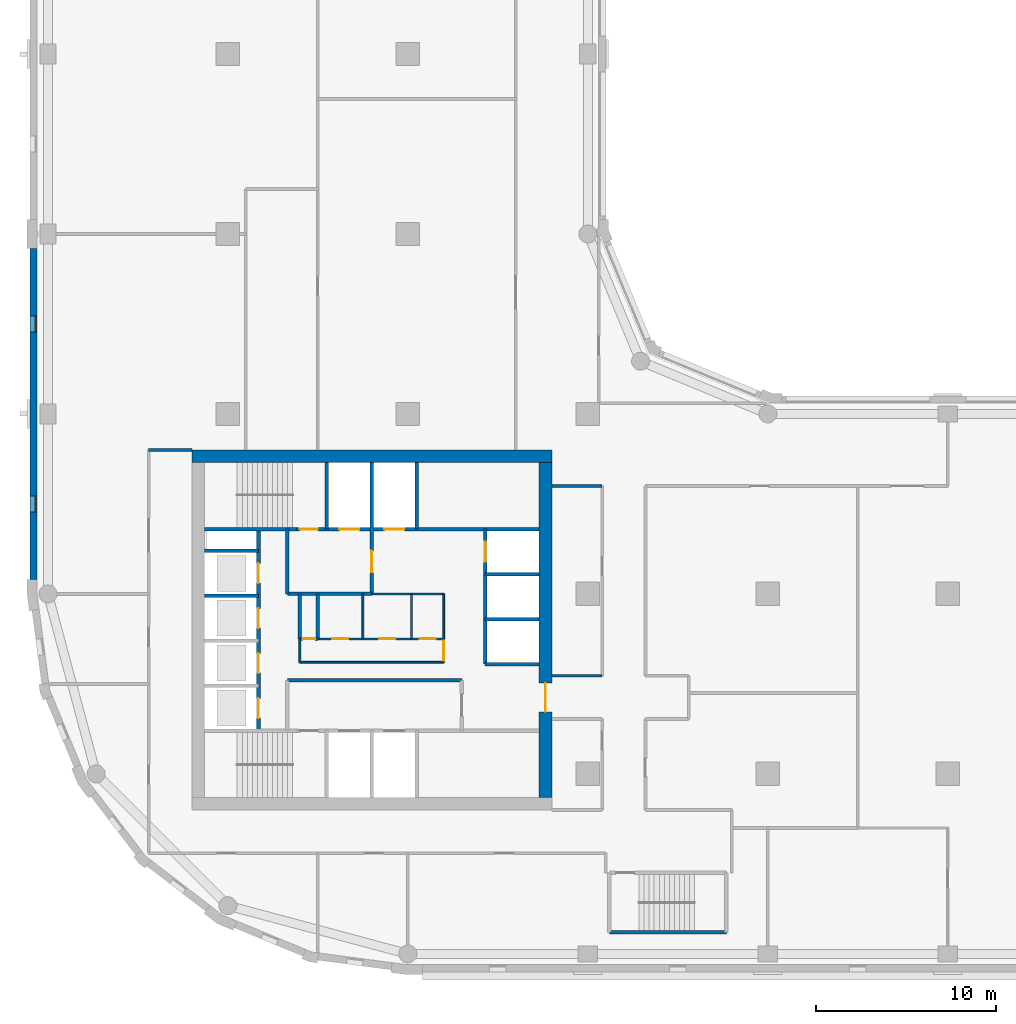
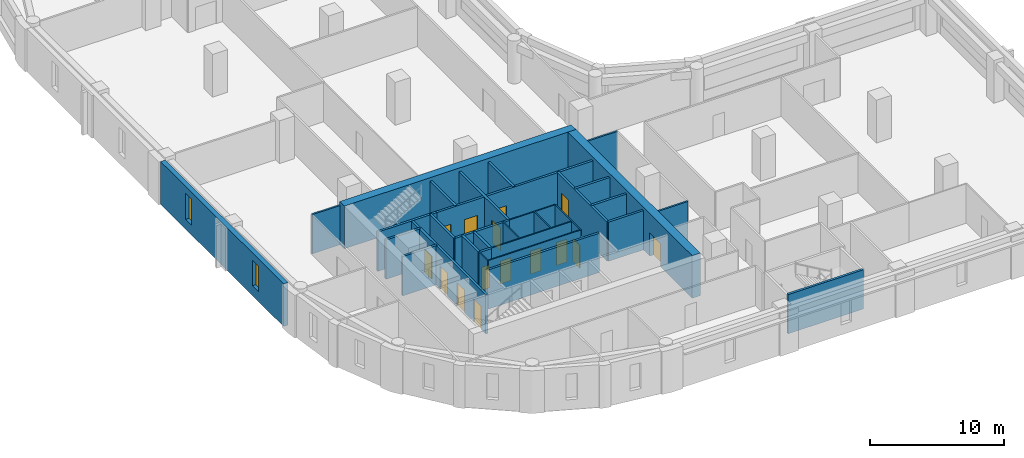
# One storey, part 3 of 9: 32 walls, 15 doors, 2 windows, 17 openings.
"""IFC4 building model written with IfcOpenShell, lengths in metres."""

from ifc_helpers import new_model, si_unit, direction, frame, frame_2d, origin, place, context, subcontext, project, spatial, rectangle, extrude, material, layer, layer_set, type_object, element, fill, save


model = new_model("IFC4")

# Units and contexts
model_context = context("Model", 3, precision=1e-05, world=origin(), true_north=direction((0.0, 1.0)))
body_context = subcontext(model_context, "Body", "Model", "MODEL_VIEW")
ifc_project = project(units=[si_unit("LENGTHUNIT", "METRE"), si_unit("AREAUNIT", "SQUARE_METRE"), si_unit("VOLUMEUNIT", "CUBIC_METRE"), si_unit("PLANEANGLEUNIT", "RADIAN"), si_unit("MASSUNIT", "GRAM", prefix="KILO")], contexts=[model_context])

# Site, building, storey
site_placement = place(None, origin())
site = spatial("IfcSite", under=ifc_project, at=site_placement, CompositionType="ELEMENT")
building_placement = place(site_placement, origin())
building = spatial("IfcBuilding", under=site, at=building_placement, Name="Qaws Garden Tower", CompositionType="ELEMENT")
storey_placement = place(building_placement, frame((0.0, 0.0, 131.699951171875)))
storey = spatial("IfcBuildingStorey", under=building, at=storey_placement, Name="L31", CompositionType="ELEMENT", Elevation=131.699951171875)

# Wall, openings, windows
ifc_material_1 = material(Name="Clay facing brick masonry", Category="masonry")
ifc_layer_1 = layer(ifc_material_1, 0.39990234375)
ifc_layer_set_1 = layer_set([ifc_layer_1], Name="Clay facing brick masonry")
wall_type_1 = type_object("IfcWallType", Name="Brick infill wall 400", PredefinedType="SOLIDWALL", material=ifc_layer_set_1)
wall_1_placement = place(storey_placement, frame((-0.800048828125, 39.199951171875, 0.0), z_axis=(0.0, 0.0, 1.0), x_axis=(0.0, -1.0, 0.0)))
wall_1 = element("IfcWall", 1, at=wall_1_placement, inside=storey, type_object=wall_type_1, Name="E-L31-infill-23", PredefinedType="SOLIDWALL", context=body_context, shape_type="SweptSolid", body=[
    extrude(rectangle(XDim=18.39990234375, YDim=0.39990234375, at=frame_2d((9.199951171875, 0.0))), origin(), (0.0, 0.0, 1.0), 3.900146484375),
])
opening_1_placement = place(wall_1_placement, frame((3.75, 0.0, 0.89990234375)))
opening_1 = element("IfcOpeningElement", 2, at=opening_1_placement, cuts=wall_1, Name="Opening W09", PredefinedType="OPENING", context=body_context, shape_type="SweptSolid", body=[
    extrude(rectangle(XDim=0.89990234375, YDim=2.35009765625, at=frame_2d((0.449951171875, 1.175048828125))), frame((0.0, 0.2099609375, 0.0), z_axis=(0.0, -1.0, 0.0), x_axis=(1.0, 0.0, 0.0)), (0.0, 0.0, 1.0), 0.419921875),
])
opening_2_placement = place(wall_1_placement, frame((13.75, 0.0, 0.89990234375)))
opening_2 = element("IfcOpeningElement", 3, at=opening_2_placement, cuts=wall_1, Name="Opening W09", PredefinedType="OPENING", context=body_context, shape_type="SweptSolid", body=[
    extrude(rectangle(XDim=0.89990234375, YDim=2.35009765625, at=frame_2d((0.449951171875, 1.175048828125))), frame((0.0, 0.2099609375, 0.0), z_axis=(0.0, -1.0, 0.0), x_axis=(1.0, 0.0, 0.0)), (0.0, 0.0, 1.0), 0.419921875),
])
ifc_material_2 = material(Name="Aluminium framed window, clear glazing", Category="aluminium")
window_type = type_object("IfcWindowType", Name="Slit window 900 x 2350", PartitioningType="SINGLE_PANEL", PredefinedType="WINDOW", material=ifc_material_2)
window_1_placement = place(opening_1_placement, origin())
window_1 = element("IfcWindow", 4, at=window_1_placement, inside=storey, type_object=window_type, Name="E-L31-window-23-0", OverallHeight=2.35009765625, OverallWidth=0.89990234375, PartitioningType="SINGLE_PANEL", PredefinedType="WINDOW", context=body_context, shape_type="SweptSolid", body=[
    extrude(rectangle(XDim=0.89990234375, YDim=2.35009765625, at=frame_2d((0.449951171875, 1.175048828125))), frame((0.0, 0.159912109375, 0.0), z_axis=(0.0, -1.0, 0.0), x_axis=(1.0, 0.0, 0.0)), (0.0, 0.0, 1.0), 0.06005859375),
])
fill(opening_1, window_1)
window_2_placement = place(opening_2_placement, origin())
window_2 = element("IfcWindow", 5, at=window_2_placement, inside=storey, type_object=window_type, Name="E-L31-window-24-0", OverallHeight=2.35009765625, OverallWidth=0.89990234375, PartitioningType="SINGLE_PANEL", PredefinedType="WINDOW", context=body_context, shape_type="SweptSolid", body=[
    extrude(rectangle(XDim=0.89990234375, YDim=2.35009765625, at=frame_2d((0.449951171875, 1.175048828125))), frame((0.0, 0.159912109375, 0.0), z_axis=(0.0, -1.0, 0.0), x_axis=(1.0, 0.0, 0.0)), (0.0, 0.0, 1.0), 0.06005859375),
])
fill(opening_2, window_2)

# Wall
ifc_material_3 = material(Name="Plasterboard")
ifc_layer_2 = layer(ifc_material_3, 0.10009765625)
ifc_layer_set_2 = layer_set([ifc_layer_2], Name="Plasterboard")
wall_type_2 = type_object("IfcWallType", Name="Core partition 100", PredefinedType="PARTITIONING", material=ifc_layer_set_2)
wall_2_placement = place(storey_placement, frame((14.0, 16.199951171875, 0.0), z_axis=(0.0, 0.0, 1.0), x_axis=(1.0, 0.0, 0.0)))
element("IfcWall", 6, at=wall_2_placement, inside=storey, type_object=wall_type_2, Name="Core partition", PredefinedType="PARTITIONING", context=body_context, shape_type="SweptSolid", body=[
    extrude(rectangle(XDim=8.0, YDim=0.10009765625, at=frame_2d((4.0, 0.0))), origin(), (0.0, 0.0, 1.0), 3.580078125),
])

# Wall, openings, doors
wall_3_placement = place(storey_placement, frame((15.0, 17.5, 0.0), z_axis=(0.0, 0.0, 1.0), x_axis=(1.0, 0.0, 0.0)))
wall_3 = element("IfcWall", 7, at=wall_3_placement, inside=storey, type_object=wall_type_2, Name="Core partition", PredefinedType="PARTITIONING", context=body_context, shape_type="SweptSolid", body=[
    extrude(rectangle(XDim=7.0, YDim=0.10009765625, at=frame_2d((3.5, 0.0))), origin(), (0.0, 0.0, 1.0), 3.580078125),
])
opening_3_placement = place(wall_3_placement, frame((0.800048828125, 0.0, 0.0)))
opening_3 = element("IfcOpeningElement", 8, at=opening_3_placement, cuts=wall_3, Name="Opening WD19", PredefinedType="OPENING", context=body_context, shape_type="SweptSolid", body=[
    extrude(rectangle(XDim=0.89990234375, YDim=2.10009765625, at=frame_2d((0.449951171875, 1.050048828125))), frame((0.0, 0.06005859375, 0.0), z_axis=(0.0, -1.0, 0.0), x_axis=(1.0, 0.0, 0.0)), (0.0, 0.0, 1.0), 0.1201171875),
])
opening_4_placement = place(wall_3_placement, frame((3.39990234375, 0.0, 0.0)))
opening_4 = element("IfcOpeningElement", 9, at=opening_4_placement, cuts=wall_3, Name="Opening WD20", PredefinedType="OPENING", context=body_context, shape_type="SweptSolid", body=[
    extrude(rectangle(XDim=0.89990234375, YDim=2.10009765625, at=frame_2d((0.449951171875, 1.050048828125))), frame((0.0, 0.06005859375, 0.0), z_axis=(0.0, -1.0, 0.0), x_axis=(1.0, 0.0, 0.0)), (0.0, 0.0, 1.0), 0.1201171875),
])
opening_5_placement = place(wall_3_placement, frame((5.64990234375, 0.0, 0.0)))
opening_5 = element("IfcOpeningElement", 10, at=opening_5_placement, cuts=wall_3, Name="Opening WD21", PredefinedType="OPENING", context=body_context, shape_type="SweptSolid", body=[
    extrude(rectangle(XDim=0.89990234375, YDim=2.10009765625, at=frame_2d((0.449951171875, 1.050048828125))), frame((0.0, 0.06005859375, 0.0), z_axis=(0.0, -1.0, 0.0), x_axis=(1.0, 0.0, 0.0)), (0.0, 0.0, 1.0), 0.1201171875),
])
ifc_material_4 = material(Name="Timber", Category="wood")
door_type_1 = type_object("IfcDoorType", Name="WC door 900x2100", OperationType="SINGLE_SWING_LEFT", PredefinedType="DOOR", material=ifc_material_4)
door_1_placement = place(opening_3_placement, origin())
door_1 = element("IfcDoor", 11, at=door_1_placement, inside=storey, type_object=door_type_1, Name="Men's WC door", OperationType="SINGLE_SWING_RIGHT", OverallHeight=2.10009765625, OverallWidth=0.89990234375, PredefinedType="DOOR", context=body_context, shape_type="SweptSolid", body=[
    extrude(rectangle(XDim=0.89990234375, YDim=2.10009765625, at=frame_2d((0.449951171875, 1.050048828125))), frame((0.0, 0.02490234375, 0.0), z_axis=(0.0, -1.0, 0.0), x_axis=(1.0, 0.0, 0.0)), (0.0, 0.0, 1.0), 0.050048828125),
])
fill(opening_3, door_1)
door_2_placement = place(opening_4_placement, origin())
door_2 = element("IfcDoor", 12, at=door_2_placement, inside=storey, type_object=door_type_1, Name="Women's WC door", OperationType="SINGLE_SWING_RIGHT", OverallHeight=2.10009765625, OverallWidth=0.89990234375, PredefinedType="DOOR", context=body_context, shape_type="SweptSolid", body=[
    extrude(rectangle(XDim=0.89990234375, YDim=2.10009765625, at=frame_2d((0.449951171875, 1.050048828125))), frame((0.0, 0.02490234375, 0.0), z_axis=(0.0, -1.0, 0.0), x_axis=(1.0, 0.0, 0.0)), (0.0, 0.0, 1.0), 0.050048828125),
])
fill(opening_4, door_2)
door_3_placement = place(opening_5_placement, origin())
door_3 = element("IfcDoor", 13, at=door_3_placement, inside=storey, type_object=door_type_1, Name="Accessible WC door", OperationType="SINGLE_SWING_RIGHT", OverallHeight=2.10009765625, OverallWidth=0.89990234375, PredefinedType="DOOR", context=body_context, shape_type="SweptSolid", body=[
    extrude(rectangle(XDim=0.89990234375, YDim=2.10009765625, at=frame_2d((0.449951171875, 1.050048828125))), frame((0.0, 0.02490234375, 0.0), z_axis=(0.0, -1.0, 0.0), x_axis=(1.0, 0.0, 0.0)), (0.0, 0.0, 1.0), 0.050048828125),
])
fill(opening_5, door_3)

# Walls
wall_4_placement = place(storey_placement, frame((18.0, 20.0, 0.0), z_axis=(0.0, 0.0, 1.0), x_axis=(1.0, 0.0, 0.0)))
element("IfcWall", 14, at=wall_4_placement, inside=storey, type_object=wall_type_2, Name="Core partition", PredefinedType="PARTITIONING", context=body_context, shape_type="SweptSolid", body=[
    extrude(rectangle(XDim=4.0, YDim=0.10009765625, at=frame_2d((2.0, 0.0))), origin(), (0.0, 0.0, 1.0), 3.580078125),
])
wall_5_placement = place(storey_placement, frame((14.0, 16.199951171875, 0.0), z_axis=(0.0, 0.0, 1.0), x_axis=(0.0, 1.0, 0.0)))
element("IfcWall", 15, at=wall_5_placement, inside=storey, type_object=wall_type_2, Name="Core partition", PredefinedType="PARTITIONING", context=body_context, shape_type="SweptSolid", body=[
    extrude(rectangle(XDim=1.300048828125, YDim=0.10009765625, at=frame_2d((0.64990234375, 0.0))), origin(), (0.0, 0.0, 1.0), 3.580078125),
])
for number, where, z_axis, x_axis, name in (
    (16, (17.5, 17.5, 0.0), (0.0, 0.0, 1.0), (0.0, 1.0, 0.0), "Core partition"),
    (17, (20.199951171875, 17.5, 0.0), (0.0, 0.0, 1.0), (0.0, 1.0, 0.0), "Core partition"),
):
    element("IfcWall", number, at=place(storey_placement, frame(where, z_axis=z_axis, x_axis=x_axis)), inside=storey, type_object=wall_type_2, Name=name, PredefinedType="PARTITIONING", context=body_context, shape_type="SweptSolid", body=[
        extrude(rectangle(XDim=2.5, YDim=0.10009765625, at=frame_2d((1.25, 0.0))), origin(), (0.0, 0.0, 1.0), 3.580078125),
    ])

# Wall, opening, door
wall_6_placement = place(storey_placement, frame((22.0, 16.199951171875, 0.0), z_axis=(0.0, 0.0, 1.0), x_axis=(0.0, 1.0, 0.0)))
wall_6 = element("IfcWall", 18, at=wall_6_placement, inside=storey, type_object=wall_type_2, Name="Core partition", PredefinedType="PARTITIONING", context=body_context, shape_type="SweptSolid", body=[
    extrude(rectangle(XDim=3.800048828125, YDim=0.10009765625, at=frame_2d((1.89990234375, 0.0))), origin(), (0.0, 0.0, 1.0), 3.580078125),
])
opening_6_placement = place(wall_6_placement, frame((0.10009765625, 0.0, 0.0)))
opening_6 = element("IfcOpeningElement", 19, at=opening_6_placement, cuts=wall_6, Name="Opening WL17", PredefinedType="OPENING", context=body_context, shape_type="SweptSolid", body=[
    extrude(rectangle(XDim=1.10009765625, YDim=2.10009765625, at=frame_2d((0.550048828125, 1.050048828125))), frame((0.0, 0.06005859375, 0.0), z_axis=(0.0, -1.0, 0.0), x_axis=(1.0, 0.0, 0.0)), (0.0, 0.0, 1.0), 0.1201171875),
])
ifc_material_5 = material(Name="Timber", Category="wood")
door_type_2 = type_object("IfcDoorType", Name="WC lobby door 1100x2100", OperationType="SINGLE_SWING_LEFT", PredefinedType="DOOR", material=ifc_material_5)
door_4_placement = place(opening_6_placement, origin())
door_4 = element("IfcDoor", 20, at=door_4_placement, inside=storey, type_object=door_type_2, Name="WC lobby door", OperationType="SINGLE_SWING_RIGHT", OverallHeight=2.10009765625, OverallWidth=1.10009765625, PredefinedType="DOOR", context=body_context, shape_type="SweptSolid", body=[
    extrude(rectangle(XDim=1.10009765625, YDim=2.10009765625, at=frame_2d((0.550048828125, 1.050048828125))), frame((0.0, 0.02490234375, 0.0), z_axis=(0.0, -1.0, 0.0), x_axis=(1.0, 0.0, 0.0)), (0.0, 0.0, 1.0), 0.050048828125),
])
fill(opening_6, door_4)

# Walls
ifc_material_6 = material(Name="Concrete C70", Category="concrete")
ifc_layer_3 = layer(ifc_material_6, 0.199951171875)
ifc_layer_set_3 = layer_set([ifc_layer_3], Name="Concrete C70")
wall_type_3 = type_object("IfcWallType", Name="Core shaft wall 200 C70", PredefinedType="SHEAR", material=ifc_layer_set_3)
wall_7_placement = place(storey_placement, frame((31.199951171875, 1.199951171875, 0.0), z_axis=(0.0, 0.0, 1.0), x_axis=(1.0, 0.0, 0.0)))
element("IfcWall", 21, at=wall_7_placement, inside=storey, type_object=wall_type_3, Name="Shaft wall", PredefinedType="SHEAR", context=body_context, shape_type="SweptSolid", body=[
    extrude(rectangle(XDim=6.5, YDim=0.199951171875, at=frame_2d((3.25, 0.0))), origin(), (0.0, 0.0, 1.0), 3.580078125),
])
wall_8_placement = place(storey_placement, frame((13.300048828125, 15.199951171875, 0.0), z_axis=(0.0, 0.0, 1.0), x_axis=(1.0, 0.0, 0.0)))
element("IfcWall", 22, at=wall_8_placement, inside=storey, type_object=wall_type_3, Name="Shaft wall", PredefinedType="SHEAR", context=body_context, shape_type="SweptSolid", body=[
    extrude(rectangle(XDim=9.699951171875, YDim=0.199951171875, at=frame_2d((4.85009765625, 0.0))), origin(), (0.0, 0.0, 1.0), 3.580078125),
])
wall_9_placement = place(storey_placement, frame((24.300048828125, 16.10009765625, 0.0), z_axis=(0.0, 0.0, 1.0), x_axis=(1.0, 0.0, 0.0)))
element("IfcWall", 23, at=wall_9_placement, inside=storey, type_object=wall_type_3, Name="Shaft wall", PredefinedType="SHEAR", context=body_context, shape_type="SweptSolid", body=[
    extrude(rectangle(XDim=3.0, YDim=0.199951171875, at=frame_2d((1.5, 0.0))), origin(), (0.0, 0.0, 1.0), 3.580078125),
])

# Wall, opening, door
wall_10_placement = place(storey_placement, frame((14.0, 17.5, 0.0), z_axis=(0.0, 0.0, 1.0), x_axis=(1.0, 0.0, 0.0)))
wall_10 = element("IfcWall", 24, at=wall_10_placement, inside=storey, type_object=wall_type_3, Name="Shaft wall", PredefinedType="SHEAR", context=body_context, shape_type="SweptSolid", body=[
    extrude(rectangle(XDim=1.0, YDim=0.199951171875, at=frame_2d((0.5, 0.0))), origin(), (0.0, 0.0, 1.0), 3.580078125),
])
opening_7_placement = place(wall_10_placement, frame((0.14990234375, 0.0, 0.0)))
opening_7 = element("IfcOpeningElement", 25, at=opening_7_placement, cuts=wall_10, Name="Opening XD18", PredefinedType="OPENING", context=body_context, shape_type="SweptSolid", body=[
    extrude(rectangle(XDim=0.699951171875, YDim=2.10009765625, at=frame_2d((0.35009765625, 1.050048828125))), frame((0.0, 0.10986328125, 0.0), z_axis=(0.0, -1.0, 0.0), x_axis=(1.0, 0.0, 0.0)), (0.0, 0.0, 1.0), 0.219970703125),
])
ifc_material_7 = material(Name="Timber", Category="wood")
door_type_3 = type_object("IfcDoorType", Name="Store door 700x2100", OperationType="SINGLE_SWING_LEFT", PredefinedType="DOOR", material=ifc_material_7)
door_5_placement = place(opening_7_placement, origin())
door_5 = element("IfcDoor", 26, at=door_5_placement, inside=storey, type_object=door_type_3, Name="Telecom riser door", OperationType="SINGLE_SWING_RIGHT", OverallHeight=2.10009765625, OverallWidth=0.699951171875, PredefinedType="DOOR", context=body_context, shape_type="SweptSolid", body=[
    extrude(rectangle(XDim=0.699951171875, YDim=2.10009765625, at=frame_2d((0.35009765625, 1.050048828125))), frame((0.0, 0.02490234375, 0.0), z_axis=(0.0, -1.0, 0.0), x_axis=(1.0, 0.0, 0.0)), (0.0, 0.0, 1.0), 0.050048828125),
])
fill(opening_7, door_5)

# Walls
for number, where, z_axis, x_axis, name in (
    (27, (24.300048828125, 18.60009765625, 0.0), (0.0, 0.0, 1.0), (1.0, 0.0, 0.0), "Shaft wall"),
    (28, (8.699951171875, 19.89990234375, 0.0), (0.0, 0.0, 1.0), (1.0, 0.0, 0.0), "Shaft wall"),
):
    element("IfcWall", number, at=place(storey_placement, frame(where, z_axis=z_axis, x_axis=x_axis)), inside=storey, type_object=wall_type_3, Name=name, PredefinedType="SHEAR", context=body_context, shape_type="SweptSolid", body=[
        extrude(rectangle(XDim=3.0, YDim=0.199951171875, at=frame_2d((1.5, 0.0))), origin(), (0.0, 0.0, 1.0), 3.580078125),
    ])
wall_11_placement = place(storey_placement, frame((13.300048828125, 20.0, 0.0), z_axis=(0.0, 0.0, 1.0), x_axis=(1.0, 0.0, 0.0)))
element("IfcWall", 29, at=wall_11_placement, inside=storey, type_object=wall_type_3, Name="Shaft wall", PredefinedType="SHEAR", context=body_context, shape_type="SweptSolid", body=[
    extrude(rectangle(XDim=4.699951171875, YDim=0.199951171875, at=frame_2d((2.35009765625, 0.0))), origin(), (0.0, 0.0, 1.0), 3.580078125),
])
for number, where, z_axis, x_axis, name in (
    (30, (24.300048828125, 21.10009765625, 0.0), (0.0, 0.0, 1.0), (1.0, 0.0, 0.0), "Shaft wall"),
    (31, (8.699951171875, 22.39990234375, 0.0), (0.0, 0.0, 1.0), (1.0, 0.0, 0.0), "Shaft wall"),
):
    element("IfcWall", number, at=place(storey_placement, frame(where, z_axis=z_axis, x_axis=x_axis)), inside=storey, type_object=wall_type_3, Name=name, PredefinedType="SHEAR", context=body_context, shape_type="SweptSolid", body=[
        extrude(rectangle(XDim=3.0, YDim=0.199951171875, at=frame_2d((1.5, 0.0))), origin(), (0.0, 0.0, 1.0), 3.580078125),
    ])
wall_12_placement = place(storey_placement, frame((8.699951171875, 23.60009765625, 0.0), z_axis=(0.0, 0.0, 1.0), x_axis=(1.0, 0.0, 0.0)))
element("IfcWall", 32, at=wall_12_placement, inside=storey, type_object=wall_type_3, Name="Shaft wall", PredefinedType="SHEAR", context=body_context, shape_type="SweptSolid", body=[
    extrude(rectangle(XDim=5.10009765625, YDim=0.199951171875, at=frame_2d((2.550048828125, 0.0))), origin(), (0.0, 0.0, 1.0), 3.580078125),
])

# Wall, openings, doors
wall_13_placement = place(storey_placement, frame((13.800048828125, 23.60009765625, 0.0), z_axis=(0.0, 0.0, 1.0), x_axis=(1.0, 0.0, 0.0)))
wall_13 = element("IfcWall", 33, at=wall_13_placement, inside=storey, type_object=wall_type_3, Name="Shaft wall", PredefinedType="SHEAR", context=body_context, shape_type="SweptSolid", body=[
    extrude(rectangle(XDim=13.5, YDim=0.199951171875, at=frame_2d((6.75, 0.0))), origin(), (0.0, 0.0, 1.0), 3.580078125),
])
opening_8_placement = place(wall_13_placement, frame((2.39990234375, 0.0, 0.0)))
opening_8 = element("IfcOpeningElement", 34, at=opening_8_placement, cuts=wall_13, Name="Opening LD08", PredefinedType="OPENING", context=body_context, shape_type="SweptSolid", body=[
    extrude(rectangle(XDim=1.10009765625, YDim=2.10009765625, at=frame_2d((0.550048828125, 1.050048828125))), frame((0.0, 0.10986328125, 0.0), z_axis=(0.0, -1.0, 0.0), x_axis=(1.0, 0.0, 0.0)), (0.0, 0.0, 1.0), 0.219970703125),
])
opening_9_placement = place(wall_13_placement, frame((4.89990234375, 0.0, 0.0)))
opening_9 = element("IfcOpeningElement", 35, at=opening_9_placement, cuts=wall_13, Name="Opening LD09", PredefinedType="OPENING", context=body_context, shape_type="SweptSolid", body=[
    extrude(rectangle(XDim=1.10009765625, YDim=2.10009765625, at=frame_2d((0.550048828125, 1.050048828125))), frame((0.0, 0.10986328125, 0.0), z_axis=(0.0, -1.0, 0.0), x_axis=(1.0, 0.0, 0.0)), (0.0, 0.0, 1.0), 0.219970703125),
])
opening_10_placement = place(wall_13_placement, frame((0.199951171875, 0.0, 0.0)))
opening_10 = element("IfcOpeningElement", 36, at=opening_10_placement, cuts=wall_13, Name="Opening SD11", PredefinedType="OPENING", context=body_context, shape_type="SweptSolid", body=[
    extrude(rectangle(XDim=1.0, YDim=2.10009765625, at=frame_2d((0.5, 1.050048828125))), frame((0.0, 0.10986328125, 0.0), z_axis=(0.0, -1.0, 0.0), x_axis=(1.0, 0.0, 0.0)), (0.0, 0.0, 1.0), 0.219970703125),
])
ifc_material_8 = material(Name="Steel S235", Category="steel")
door_type_4 = type_object("IfcDoorType", Name="Landing door 1100x2100", OperationType="DOUBLE_DOOR_SLIDING", PredefinedType="DOOR", material=ifc_material_8)
door_6_placement = place(opening_8_placement, origin())
door_6 = element("IfcDoor", 37, at=door_6_placement, inside=storey, type_object=door_type_4, Name="Lift FF3 landing door", OperationType="DOUBLE_DOOR_SLIDING", OverallHeight=2.10009765625, OverallWidth=1.10009765625, PredefinedType="DOOR", context=body_context, shape_type="SweptSolid", body=[
    extrude(rectangle(XDim=1.10009765625, YDim=2.10009765625, at=frame_2d((0.550048828125, 1.050048828125))), frame((0.0, 0.02490234375, 0.0), z_axis=(0.0, -1.0, 0.0), x_axis=(1.0, 0.0, 0.0)), (0.0, 0.0, 1.0), 0.050048828125),
])
fill(opening_8, door_6)
door_7_placement = place(opening_9_placement, origin())
door_7 = element("IfcDoor", 38, at=door_7_placement, inside=storey, type_object=door_type_4, Name="Lift SV2 landing door", OperationType="DOUBLE_DOOR_SLIDING", OverallHeight=2.10009765625, OverallWidth=1.10009765625, PredefinedType="DOOR", context=body_context, shape_type="SweptSolid", body=[
    extrude(rectangle(XDim=1.10009765625, YDim=2.10009765625, at=frame_2d((0.550048828125, 1.050048828125))), frame((0.0, 0.02490234375, 0.0), z_axis=(0.0, -1.0, 0.0), x_axis=(1.0, 0.0, 0.0)), (0.0, 0.0, 1.0), 0.050048828125),
])
fill(opening_9, door_7)
ifc_material_9 = material(Name="Steel S235", Category="steel")
door_type_5 = type_object("IfcDoorType", Name="Stair door 1000x2100", OperationType="SINGLE_SWING_RIGHT", PredefinedType="DOOR", material=ifc_material_9)
door_8_placement = place(opening_10_placement, origin())
door_8 = element("IfcDoor", 39, at=door_8_placement, inside=storey, type_object=door_type_5, Name="Stair 4 door", OperationType="SINGLE_SWING_RIGHT", OverallHeight=2.10009765625, OverallWidth=1.0, PredefinedType="DOOR", context=body_context, shape_type="SweptSolid", body=[
    extrude(rectangle(XDim=1.0, YDim=2.10009765625, at=frame_2d((0.5, 1.050048828125))), frame((0.0, 0.02490234375, 0.0), z_axis=(0.0, -1.0, 0.0), x_axis=(1.0, 0.0, 0.0)), (0.0, 0.0, 1.0), 0.050048828125),
])
fill(opening_10, door_8)

wall_14_placement = place(storey_placement, frame((11.699951171875, 12.39990234375, 0.0), z_axis=(0.0, 0.0, 1.0), x_axis=(0.0, 1.0, 0.0)))
wall_14 = element("IfcWall", 40, at=wall_14_placement, inside=storey, type_object=wall_type_3, Name="Shaft wall", PredefinedType="SHEAR", context=body_context, shape_type="SweptSolid", body=[
    extrude(rectangle(XDim=11.2001953125, YDim=0.199951171875, at=frame_2d((5.60009765625, 0.0))), origin(), (0.0, 0.0, 1.0), 3.580078125),
])
opening_11_placement = place(wall_14_placement, frame((0.699951171875, 0.0, 0.0)))
opening_11 = element("IfcOpeningElement", 41, at=opening_11_placement, cuts=wall_14, Name="Opening LD01", PredefinedType="OPENING", context=body_context, shape_type="SweptSolid", body=[
    extrude(rectangle(XDim=1.10009765625, YDim=2.10009765625, at=frame_2d((0.550048828125, 1.050048828125))), frame((0.0, 0.10986328125, 0.0), z_axis=(0.0, -1.0, 0.0), x_axis=(1.0, 0.0, 0.0)), (0.0, 0.0, 1.0), 0.219970703125),
])
opening_12_placement = place(wall_14_placement, frame((3.199951171875, 0.0, 0.0)))
opening_12 = element("IfcOpeningElement", 42, at=opening_12_placement, cuts=wall_14, Name="Opening LD02", PredefinedType="OPENING", context=body_context, shape_type="SweptSolid", body=[
    extrude(rectangle(XDim=1.10009765625, YDim=2.10009765625, at=frame_2d((0.550048828125, 1.050048828125))), frame((0.0, 0.10986328125, 0.0), z_axis=(0.0, -1.0, 0.0), x_axis=(1.0, 0.0, 0.0)), (0.0, 0.0, 1.0), 0.219970703125),
])
opening_13_placement = place(wall_14_placement, frame((5.699951171875, 0.0, 0.0)))
opening_13 = element("IfcOpeningElement", 43, at=opening_13_placement, cuts=wall_14, Name="Opening LD03", PredefinedType="OPENING", context=body_context, shape_type="SweptSolid", body=[
    extrude(rectangle(XDim=1.10009765625, YDim=2.10009765625, at=frame_2d((0.550048828125, 1.050048828125))), frame((0.0, 0.10986328125, 0.0), z_axis=(0.0, -1.0, 0.0), x_axis=(1.0, 0.0, 0.0)), (0.0, 0.0, 1.0), 0.219970703125),
])
opening_14_placement = place(wall_14_placement, frame((8.199951171875, 0.0, 0.0)))
opening_14 = element("IfcOpeningElement", 44, at=opening_14_placement, cuts=wall_14, Name="Opening LD04", PredefinedType="OPENING", context=body_context, shape_type="SweptSolid", body=[
    extrude(rectangle(XDim=1.10009765625, YDim=2.10009765625, at=frame_2d((0.550048828125, 1.050048828125))), frame((0.0, 0.10986328125, 0.0), z_axis=(0.0, -1.0, 0.0), x_axis=(1.0, 0.0, 0.0)), (0.0, 0.0, 1.0), 0.219970703125),
])
door_9_placement = place(opening_11_placement, origin())
door_9 = element("IfcDoor", 45, at=door_9_placement, inside=storey, type_object=door_type_4, Name="Lift W1 landing door", OperationType="DOUBLE_DOOR_SLIDING", OverallHeight=2.10009765625, OverallWidth=1.10009765625, PredefinedType="DOOR", context=body_context, shape_type="SweptSolid", body=[
    extrude(rectangle(XDim=1.10009765625, YDim=2.10009765625, at=frame_2d((0.550048828125, 1.050048828125))), frame((0.0, 0.02490234375, 0.0), z_axis=(0.0, -1.0, 0.0), x_axis=(1.0, 0.0, 0.0)), (0.0, 0.0, 1.0), 0.050048828125),
])
fill(opening_11, door_9)
door_10_placement = place(opening_12_placement, origin())
door_10 = element("IfcDoor", 46, at=door_10_placement, inside=storey, type_object=door_type_4, Name="Lift W2 landing door", OperationType="DOUBLE_DOOR_SLIDING", OverallHeight=2.10009765625, OverallWidth=1.10009765625, PredefinedType="DOOR", context=body_context, shape_type="SweptSolid", body=[
    extrude(rectangle(XDim=1.10009765625, YDim=2.10009765625, at=frame_2d((0.550048828125, 1.050048828125))), frame((0.0, 0.02490234375, 0.0), z_axis=(0.0, -1.0, 0.0), x_axis=(1.0, 0.0, 0.0)), (0.0, 0.0, 1.0), 0.050048828125),
])
fill(opening_12, door_10)
door_11_placement = place(opening_13_placement, origin())
door_11 = element("IfcDoor", 47, at=door_11_placement, inside=storey, type_object=door_type_4, Name="Lift W3 landing door", OperationType="DOUBLE_DOOR_SLIDING", OverallHeight=2.10009765625, OverallWidth=1.10009765625, PredefinedType="DOOR", context=body_context, shape_type="SweptSolid", body=[
    extrude(rectangle(XDim=1.10009765625, YDim=2.10009765625, at=frame_2d((0.550048828125, 1.050048828125))), frame((0.0, 0.02490234375, 0.0), z_axis=(0.0, -1.0, 0.0), x_axis=(1.0, 0.0, 0.0)), (0.0, 0.0, 1.0), 0.050048828125),
])
fill(opening_13, door_11)
door_12_placement = place(opening_14_placement, origin())
door_12 = element("IfcDoor", 48, at=door_12_placement, inside=storey, type_object=door_type_4, Name="Lift W4 landing door", OperationType="DOUBLE_DOOR_SLIDING", OverallHeight=2.10009765625, OverallWidth=1.10009765625, PredefinedType="DOOR", context=body_context, shape_type="SweptSolid", body=[
    extrude(rectangle(XDim=1.10009765625, YDim=2.10009765625, at=frame_2d((0.550048828125, 1.050048828125))), frame((0.0, 0.02490234375, 0.0), z_axis=(0.0, -1.0, 0.0), x_axis=(1.0, 0.0, 0.0)), (0.0, 0.0, 1.0), 0.050048828125),
])
fill(opening_14, door_12)

# Walls
wall_15_placement = place(storey_placement, frame((13.300048828125, 20.0, 0.0), z_axis=(0.0, 0.0, 1.0), x_axis=(0.0, 1.0, 0.0)))
element("IfcWall", 49, at=wall_15_placement, inside=storey, type_object=wall_type_3, Name="Shaft wall", PredefinedType="SHEAR", context=body_context, shape_type="SweptSolid", body=[
    extrude(rectangle(XDim=3.60009765625, YDim=0.199951171875, at=frame_2d((1.800048828125, 0.0))), origin(), (0.0, 0.0, 1.0), 3.580078125),
])
for number, where, z_axis, x_axis, name in (
    (50, (14.0, 17.5, 0.0), (0.0, 0.0, 1.0), (0.0, 1.0, 0.0), "Shaft wall"),
    (51, (15.0, 17.5, 0.0), (0.0, 0.0, 1.0), (0.0, 1.0, 0.0), "Shaft wall"),
):
    element("IfcWall", number, at=place(storey_placement, frame(where, z_axis=z_axis, x_axis=x_axis)), inside=storey, type_object=wall_type_3, Name=name, PredefinedType="SHEAR", context=body_context, shape_type="SweptSolid", body=[
        extrude(rectangle(XDim=2.5, YDim=0.199951171875, at=frame_2d((1.25, 0.0))), origin(), (0.0, 0.0, 1.0), 3.580078125),
    ])
wall_16_placement = place(storey_placement, frame((15.5, 23.60009765625, 0.0), z_axis=(0.0, 0.0, 1.0), x_axis=(0.0, 1.0, 0.0)))
element("IfcWall", 52, at=wall_16_placement, inside=storey, type_object=wall_type_3, Name="Shaft wall", PredefinedType="SHEAR", context=body_context, shape_type="SweptSolid", body=[
    extrude(rectangle(XDim=3.699951171875, YDim=0.199951171875, at=frame_2d((1.85009765625, 0.0))), origin(), (0.0, 0.0, 1.0), 3.580078125),
])

# Wall, opening, door
wall_17_placement = place(storey_placement, frame((18.0, 20.0, 0.0), z_axis=(0.0, 0.0, 1.0), x_axis=(0.0, 1.0, 0.0)))
wall_17 = element("IfcWall", 53, at=wall_17_placement, inside=storey, type_object=wall_type_3, Name="Shaft wall", PredefinedType="SHEAR", context=body_context, shape_type="SweptSolid", body=[
    extrude(rectangle(XDim=7.300048828125, YDim=0.199951171875, at=frame_2d((3.64990234375, 0.0))), origin(), (0.0, 0.0, 1.0), 3.580078125),
])
opening_15_placement = place(wall_17_placement, frame((1.199951171875, 0.0, 0.0)))
opening_15 = element("IfcOpeningElement", 54, at=opening_15_placement, cuts=wall_17, Name="Opening FD16", PredefinedType="OPENING", context=body_context, shape_type="SweptSolid", body=[
    extrude(rectangle(XDim=1.199951171875, YDim=2.10009765625, at=frame_2d((0.60009765625, 1.050048828125))), frame((0.0, 0.10986328125, 0.0), z_axis=(0.0, -1.0, 0.0), x_axis=(1.0, 0.0, 0.0)), (0.0, 0.0, 1.0), 0.219970703125),
])
ifc_material_10 = material(Name="Steel S235", Category="steel")
door_type_6 = type_object("IfcDoorType", Name="Lobby door 1200x2100", OperationType="DOUBLE_DOOR_SINGLE_SWING", PredefinedType="DOOR", material=ifc_material_10)
door_13_placement = place(opening_15_placement, origin())
door_13 = element("IfcDoor", 55, at=door_13_placement, inside=storey, type_object=door_type_6, Name="Fire-fighting lobby door", OperationType="DOUBLE_DOOR_SINGLE_SWING", OverallHeight=2.10009765625, OverallWidth=1.199951171875, PredefinedType="DOOR", context=body_context, shape_type="SweptSolid", body=[
    extrude(rectangle(XDim=1.199951171875, YDim=2.10009765625, at=frame_2d((0.60009765625, 1.050048828125))), frame((0.0, 0.02490234375, 0.0), z_axis=(0.0, -1.0, 0.0), x_axis=(1.0, 0.0, 0.0)), (0.0, 0.0, 1.0), 0.050048828125),
])
fill(opening_15, door_13)

# Wall
wall_18_placement = place(storey_placement, frame((20.5, 23.60009765625, 0.0), z_axis=(0.0, 0.0, 1.0), x_axis=(0.0, 1.0, 0.0)))
element("IfcWall", 56, at=wall_18_placement, inside=storey, type_object=wall_type_3, Name="Shaft wall", PredefinedType="SHEAR", context=body_context, shape_type="SweptSolid", body=[
    extrude(rectangle(XDim=3.699951171875, YDim=0.199951171875, at=frame_2d((1.85009765625, 0.0))), origin(), (0.0, 0.0, 1.0), 3.580078125),
])

# Wall, opening, door
wall_19_placement = place(storey_placement, frame((24.300048828125, 16.10009765625, 0.0), z_axis=(0.0, 0.0, 1.0), x_axis=(0.0, 1.0, 0.0)))
wall_19 = element("IfcWall", 57, at=wall_19_placement, inside=storey, type_object=wall_type_3, Name="Shaft wall", PredefinedType="SHEAR", context=body_context, shape_type="SweptSolid", body=[
    extrude(rectangle(XDim=7.5, YDim=0.199951171875, at=frame_2d((3.75, 0.0))), origin(), (0.0, 0.0, 1.0), 3.580078125),
])
opening_16_placement = place(wall_19_placement, frame((5.699951171875, 0.0, 0.0)))
opening_16 = element("IfcOpeningElement", 58, at=opening_16_placement, cuts=wall_19, Name="Opening LD05", PredefinedType="OPENING", context=body_context, shape_type="SweptSolid", body=[
    extrude(rectangle(XDim=1.10009765625, YDim=2.10009765625, at=frame_2d((0.550048828125, 1.050048828125))), frame((0.0, 0.10986328125, 0.0), z_axis=(0.0, -1.0, 0.0), x_axis=(1.0, 0.0, 0.0)), (0.0, 0.0, 1.0), 0.219970703125),
])
door_14_placement = place(opening_16_placement, origin())
door_14 = element("IfcDoor", 59, at=door_14_placement, inside=storey, type_object=door_type_4, Name="Lift E3 landing door", OperationType="DOUBLE_DOOR_SLIDING", OverallHeight=2.10009765625, OverallWidth=1.10009765625, PredefinedType="DOOR", context=body_context, shape_type="SweptSolid", body=[
    extrude(rectangle(XDim=1.10009765625, YDim=2.10009765625, at=frame_2d((0.550048828125, 1.050048828125))), frame((0.0, 0.02490234375, 0.0), z_axis=(0.0, -1.0, 0.0), x_axis=(1.0, 0.0, 0.0)), (0.0, 0.0, 1.0), 0.050048828125),
])
fill(opening_16, door_14)

ifc_material_11 = material(Name="Concrete C70", Category="concrete")
ifc_layer_4 = layer(ifc_material_11, 0.699951171875)
ifc_layer_set_4 = layer_set([ifc_layer_4], Name="Concrete C70")
wall_type_4 = type_object("IfcWallType", Name="Core wall 700 C70", PredefinedType="SHEAR", material=ifc_layer_set_4)
wall_20_placement = place(storey_placement, frame((27.64990234375, 8.699951171875, 0.0), z_axis=(0.0, 0.0, 1.0), x_axis=(0.0, 1.0, 0.0)))
wall_20 = element("IfcWall", 60, at=wall_20_placement, inside=storey, type_object=wall_type_4, Name="Core wall L31 east", PredefinedType="SHEAR", context=body_context, shape_type="SweptSolid", body=[
    extrude(rectangle(XDim=18.60009765625, YDim=0.699951171875, at=frame_2d((9.300048828125, 0.0))), origin(), (0.0, 0.0, 1.0), 3.900146484375),
])
opening_17_placement = place(wall_20_placement, frame((4.75, 0.0, 0.0)))
opening_17 = element("IfcOpeningElement", 61, at=opening_17_placement, cuts=wall_20, Name="Opening ED22", PredefinedType="OPENING", context=body_context, shape_type="SweptSolid", body=[
    extrude(rectangle(XDim=1.60009765625, YDim=2.10009765625, at=frame_2d((0.800048828125, 1.050048828125))), frame((0.0, 0.35986328125, 0.0), z_axis=(0.0, -1.0, 0.0), x_axis=(1.0, 0.0, 0.0)), (0.0, 0.0, 1.0), 0.719970703125),
])
ifc_material_12 = material(Name="Steel S235", Category="steel")
door_type_7 = type_object("IfcDoorType", Name="Core entrance door 1600x2100", OperationType="DOUBLE_DOOR_SINGLE_SWING", PredefinedType="DOOR", material=ifc_material_12)
door_15_placement = place(opening_17_placement, origin())
door_15 = element("IfcDoor", 62, at=door_15_placement, inside=storey, type_object=door_type_7, Name="Core entrance door", OperationType="DOUBLE_DOOR_SINGLE_SWING", OverallHeight=2.10009765625, OverallWidth=1.60009765625, PredefinedType="DOOR", context=body_context, shape_type="SweptSolid", body=[
    extrude(rectangle(XDim=1.60009765625, YDim=2.10009765625, at=frame_2d((0.800048828125, 1.050048828125))), frame((0.0, 0.02490234375, 0.0), z_axis=(0.0, -1.0, 0.0), x_axis=(1.0, 0.0, 0.0)), (0.0, 0.0, 1.0), 0.050048828125),
])
fill(opening_17, door_15)

# Walls
wall_21_placement = place(storey_placement, frame((28.0, 27.64990234375, 0.0), z_axis=(0.0, 0.0, 1.0), x_axis=(-1.0, 0.0, 0.0)))
element("IfcWall", 63, at=wall_21_placement, inside=storey, type_object=wall_type_4, Name="Core wall L31 north", PredefinedType="SHEAR", context=body_context, shape_type="SweptSolid", body=[
    extrude(rectangle(XDim=20.0, YDim=0.699951171875, at=frame_2d((10.0, 0.0))), origin(), (0.0, 0.0, 1.0), 3.900146484375),
])
ifc_material_13 = material(Name="Gypsum board partition")
ifc_layer_5 = layer(ifc_material_13, 0.14990234375)
ifc_layer_set_5 = layer_set([ifc_layer_5], Name="Gypsum board partition")
wall_type_5 = type_object("IfcWallType", Name="PARTITION 150 EI 60", PredefinedType="PARTITIONING", material=ifc_layer_set_5)
for number, where, z_axis, x_axis, name in (
    (64, (28.0, 15.449951171875, 0.0), (0.0, 0.0, 1.0), (1.0, 0.0, 0.0), "O-L31-wall-033"),
    (65, (28.0, 26.0, 0.0), (0.0, 0.0, 1.0), (1.0, 0.0, 0.0), "O-L31-wall-036"),
):
    element("IfcWall", number, at=place(storey_placement, frame(where, z_axis=z_axis, x_axis=x_axis)), inside=storey, type_object=wall_type_5, Name=name, PredefinedType="PARTITIONING", context=body_context, shape_type="SweptSolid", body=[
        extrude(rectangle(XDim=2.800048828125, YDim=0.14990234375, at=frame_2d((1.39990234375, 0.0))), origin(), (0.0, 0.0, 1.0), 3.580078125),
    ])
wall_22_placement = place(storey_placement, frame((5.60009765625, 28.0, 0.0), z_axis=(0.0, 0.0, 1.0), x_axis=(1.0, 0.0, 0.0)))
element("IfcWall", 66, at=wall_22_placement, inside=storey, type_object=wall_type_5, Name="O-L31-wall-038", PredefinedType="PARTITIONING", context=body_context, shape_type="SweptSolid", body=[
    extrude(rectangle(XDim=2.39990234375, YDim=0.14990234375, at=frame_2d((1.199951171875, 0.0))), origin(), (0.0, 0.0, 1.0), 3.580078125),
])

save(model, "model.ifc")
